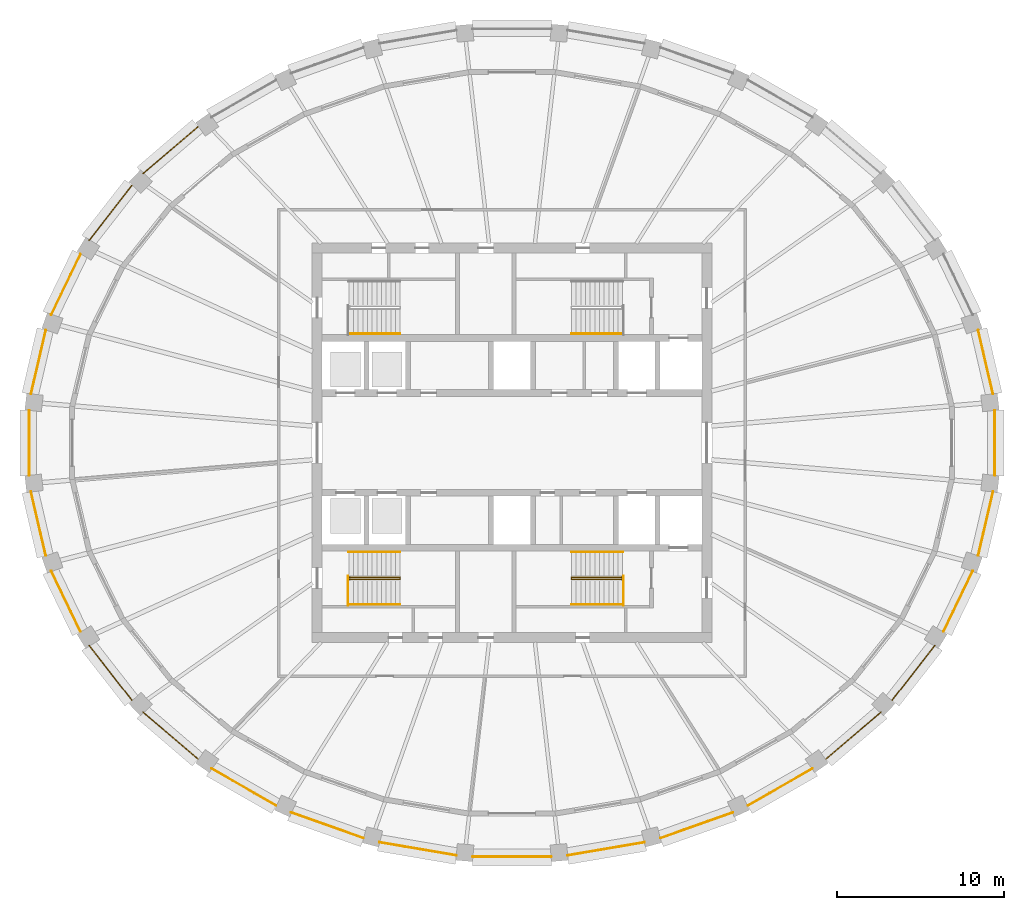
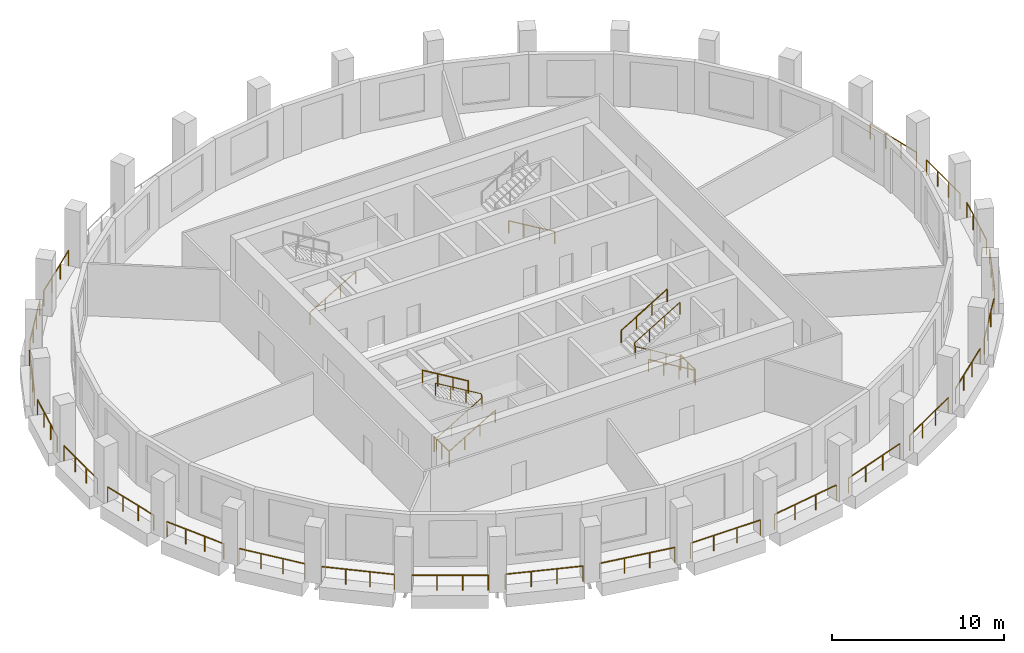
# One storey, part 8 of 10: 32 railings.
"""IFC4 building model written with IfcOpenShell, lengths in metres."""

from ifc_helpers import new_model, si_unit, direction, frame, origin, origin_2d, place, context, subcontext, project, spatial, circle, extrude, material, type_object, element, save


model = new_model("IFC4")

# Units and contexts
model_context = context("Model", 3, precision=1e-05, world=origin(), true_north=direction((0.0, 1.0)))
body_context = subcontext(model_context, "Body", "Model", "MODEL_VIEW")
ifc_project = project(units=[si_unit("LENGTHUNIT", "METRE"), si_unit("AREAUNIT", "SQUARE_METRE"), si_unit("VOLUMEUNIT", "CUBIC_METRE"), si_unit("PLANEANGLEUNIT", "RADIAN"), si_unit("MASSUNIT", "GRAM", prefix="KILO")], contexts=[model_context])

# Site, building, storey
site_placement = place(None, origin())
site = spatial("IfcSite", under=ifc_project, at=site_placement, CompositionType="ELEMENT")
building_placement = place(site_placement, origin())
building = spatial("IfcBuilding", under=site, at=building_placement, Name="Halqa Exchange Tower", CompositionType="ELEMENT")
storey_placement = place(building_placement, frame((0.0, 0.0, 300.300048828125)))
storey = spatial("IfcBuildingStorey", under=building, at=storey_placement, Name="L70", CompositionType="ELEMENT", Elevation=300.300048828125)

# Railings
ifc_material = material(Name="Stainless steel", Category="steel")
railing_type_1 = type_object("IfcRailingType", Name="Guard 1100 stainless steel", PredefinedType="GUARDRAIL", material=ifc_material)
railing_1_placement = place(storey_placement, frame((28.8837890625, 2.93505859375, 0.0)))
element("IfcRailing", 1, at=railing_1_placement, inside=storey, type_object=railing_type_1, Name="Loggia guard 1", PredefinedType="GUARDRAIL", context=body_context, shape_type="SweptSolid", body=[
    extrude(circle(Radius=0.02392578125, at=origin_2d()), frame((0.0, 0.0, 1.076171875), z_axis=(-0.226039167155, 0.974118214034, 0.0), x_axis=(-0.974118214034, -0.226039167155, 0.0)), (0.0, 0.0, 1.0), 3.929443359375),
    extrude(circle(Radius=0.02099609375, at=origin_2d()), origin(), (0.0, 0.0, 1.0), 1.052001953125),
    extrude(circle(Radius=0.02099609375, at=origin_2d()), frame((-0.296142578125, 1.27587890625, 0.0)), (0.0, 0.0, 1.0), 1.052001953125),
    extrude(circle(Radius=0.02099609375, at=origin_2d()), frame((-0.592041015625, 2.5517578125, 0.0)), (0.0, 0.0, 1.0), 1.052001953125),
    extrude(circle(Radius=0.02099609375, at=origin_2d()), frame((-0.88818359375, 3.82763671875, 0.0)), (0.0, 0.0, 1.0), 1.052001953125),
])
railing_2_placement = place(storey_placement, frame((-18.864013671875, 18.980224609375, 0.0)))
element("IfcRailing", 2, at=railing_2_placement, inside=storey, type_object=railing_type_1, Name="Loggia guard 12", PredefinedType="GUARDRAIL", context=body_context, shape_type="SweptSolid", body=[
    extrude(circle(Radius=0.02392578125, at=origin_2d()), frame((0.0, 0.0, 1.076171875), z_axis=(-0.759280539446, -0.650763445823, 0.0), x_axis=(0.650763445823, -0.759280539446, 0.0)), (0.0, 0.0, 1.0), 4.319580078125),
    extrude(circle(Radius=0.02099609375, at=origin_2d()), origin(), (0.0, 0.0, 1.0), 1.052001953125),
    extrude(circle(Radius=0.02099609375, at=origin_2d()), frame((-1.09326171875, -0.93701171875, 0.0)), (0.0, 0.0, 1.0), 1.052001953125),
    extrude(circle(Radius=0.02099609375, at=origin_2d()), frame((-2.1865234375, -1.8740234375, 0.0)), (0.0, 0.0, 1.0), 1.052001953125),
    extrude(circle(Radius=0.02099609375, at=origin_2d()), frame((-3.27978515625, -2.81103515625, 0.0)), (0.0, 0.0, 1.0), 1.052001953125),
])
railing_3_placement = place(storey_placement, frame((-22.830810546875, 15.449462890625, 0.0)))
element("IfcRailing", 3, at=railing_3_placement, inside=storey, type_object=railing_type_1, Name="Loggia guard 13", PredefinedType="GUARDRAIL", context=body_context, shape_type="SweptSolid", body=[
    extrude(circle(Radius=0.02392578125, at=origin_2d()), frame((0.0, 0.0, 1.076171875), z_axis=(-0.614801258851, -0.788682072901, 0.0), x_axis=(0.788682072901, -0.614801258851, 0.0)), (0.0, 0.0, 1.0), 4.16162109375),
    extrude(circle(Radius=0.02099609375, at=origin_2d()), origin(), (0.0, 0.0, 1.0), 1.052001953125),
    extrude(circle(Radius=0.02099609375, at=origin_2d()), frame((-0.852783203125, -1.093994140625, 0.0)), (0.0, 0.0, 1.0), 1.052001953125),
    extrude(circle(Radius=0.02099609375, at=origin_2d()), frame((-1.705810546875, -2.188232421875, 0.0)), (0.0, 0.0, 1.0), 1.052001953125),
    extrude(circle(Radius=0.02099609375, at=origin_2d()), frame((-2.55859375, -3.2822265625, 0.0)), (0.0, 0.0, 1.0), 1.052001953125),
])
railing_4_placement = place(storey_placement, frame((-25.914306640625, 11.32275390625, 0.0)))
element("IfcRailing", 4, at=railing_4_placement, inside=storey, type_object=railing_type_1, Name="Loggia guard 14", PredefinedType="GUARDRAIL", context=body_context, shape_type="SweptSolid", body=[
    extrude(circle(Radius=0.02392578125, at=origin_2d()), frame((0.0, 0.0, 1.076171875), z_axis=(-0.435061265171, -0.900400852703, 0.0), x_axis=(0.900400852703, -0.435061265171, 0.0)), (0.0, 0.0, 1.0), 4.0234375),
    extrude(circle(Radius=0.02099609375, at=origin_2d()), origin(), (0.0, 0.0, 1.0), 1.052001953125),
    extrude(circle(Radius=0.02099609375, at=origin_2d()), frame((-0.58349609375, -1.20751953125, 0.0)), (0.0, 0.0, 1.0), 1.052001953125),
    extrude(circle(Radius=0.02099609375, at=origin_2d()), frame((-1.1669921875, -2.415283203125, 0.0)), (0.0, 0.0, 1.0), 1.052001953125),
    extrude(circle(Radius=0.02099609375, at=origin_2d()), frame((-1.75048828125, -3.622802734375, 0.0)), (0.0, 0.0, 1.0), 1.052001953125),
])
railing_5_placement = place(storey_placement, frame((-27.99560546875, 6.7626953125, 0.0)))
element("IfcRailing", 5, at=railing_5_placement, inside=storey, type_object=railing_type_1, Name="Loggia guard 15", PredefinedType="GUARDRAIL", context=body_context, shape_type="SweptSolid", body=[
    extrude(circle(Radius=0.02392578125, at=origin_2d()), frame((0.0, 0.0, 1.076171875), z_axis=(-0.226039167155, -0.974118214034, 0.0), x_axis=(0.974118214034, -0.226039167155, 0.0)), (0.0, 0.0, 1.0), 3.929443359375),
    extrude(circle(Radius=0.02099609375, at=origin_2d()), origin(), (0.0, 0.0, 1.0), 1.052001953125),
    extrude(circle(Radius=0.02099609375, at=origin_2d()), frame((-0.296142578125, -1.27587890625, 0.0)), (0.0, 0.0, 1.0), 1.052001953125),
    extrude(circle(Radius=0.02099609375, at=origin_2d()), frame((-0.592041015625, -2.5517578125, 0.0)), (0.0, 0.0, 1.0), 1.052001953125),
    extrude(circle(Radius=0.02099609375, at=origin_2d()), frame((-0.88818359375, -3.82763671875, 0.0)), (0.0, 0.0, 1.0), 1.052001953125),
])
railing_6_placement = place(storey_placement, frame((-28.996826171875, 1.947998046875, 0.0)))
element("IfcRailing", 6, at=railing_6_placement, inside=storey, type_object=railing_type_1, Name="Loggia guard 16", PredefinedType="GUARDRAIL", context=body_context, shape_type="SweptSolid", body=[
    extrude(circle(Radius=0.02392578125, at=origin_2d()), frame((0.0, 0.0, 1.076171875), z_axis=(0.0, -1.0, 0.0), x_axis=(1.0, 0.0, 0.0)), (0.0, 0.0, 1.0), 3.89599609375),
    extrude(circle(Radius=0.02099609375, at=origin_2d()), origin(), (0.0, 0.0, 1.0), 1.052001953125),
    extrude(circle(Radius=0.02099609375, at=origin_2d()), frame((0.0, -1.298583984375, 0.0)), (0.0, 0.0, 1.0), 1.052001953125),
    extrude(circle(Radius=0.02099609375, at=origin_2d()), frame((0.0, -2.597412109375, 0.0)), (0.0, 0.0, 1.0), 1.052001953125),
    extrude(circle(Radius=0.02099609375, at=origin_2d()), frame((0.0, -3.89599609375, 0.0)), (0.0, 0.0, 1.0), 1.052001953125),
])
railing_7_placement = place(storey_placement, frame((-28.8837890625, -2.93505859375, 0.0)))
element("IfcRailing", 7, at=railing_7_placement, inside=storey, type_object=railing_type_1, Name="Loggia guard 17", PredefinedType="GUARDRAIL", context=body_context, shape_type="SweptSolid", body=[
    extrude(circle(Radius=0.02392578125, at=origin_2d()), frame((0.0, 0.0, 1.076171875), z_axis=(0.226039167155, -0.974118214034, 0.0), x_axis=(0.974118214034, 0.226039167155, 0.0)), (0.0, 0.0, 1.0), 3.929443359375),
    extrude(circle(Radius=0.02099609375, at=origin_2d()), origin(), (0.0, 0.0, 1.0), 1.052001953125),
    extrude(circle(Radius=0.02099609375, at=origin_2d()), frame((0.296142578125, -1.27587890625, 0.0)), (0.0, 0.0, 1.0), 1.052001953125),
    extrude(circle(Radius=0.02099609375, at=origin_2d()), frame((0.592041015625, -2.5517578125, 0.0)), (0.0, 0.0, 1.0), 1.052001953125),
    extrude(circle(Radius=0.02099609375, at=origin_2d()), frame((0.88818359375, -3.82763671875, 0.0)), (0.0, 0.0, 1.0), 1.052001953125),
])
railing_8_placement = place(storey_placement, frame((-27.664794921875, -7.699951171875, 0.0)))
element("IfcRailing", 8, at=railing_8_placement, inside=storey, type_object=railing_type_1, Name="Loggia guard 18", PredefinedType="GUARDRAIL", context=body_context, shape_type="SweptSolid", body=[
    extrude(circle(Radius=0.02392578125, at=origin_2d()), frame((0.0, 0.0, 1.076171875), z_axis=(0.435061265171, -0.900400852703, 0.0), x_axis=(0.900400852703, 0.435061265171, 0.0)), (0.0, 0.0, 1.0), 4.0234375),
    extrude(circle(Radius=0.02099609375, at=origin_2d()), origin(), (0.0, 0.0, 1.0), 1.052001953125),
    extrude(circle(Radius=0.02099609375, at=origin_2d()), frame((0.58349609375, -1.20751953125, 0.0)), (0.0, 0.0, 1.0), 1.052001953125),
    extrude(circle(Radius=0.02099609375, at=origin_2d()), frame((1.1669921875, -2.415283203125, 0.0)), (0.0, 0.0, 1.0), 1.052001953125),
    extrude(circle(Radius=0.02099609375, at=origin_2d()), frame((1.75048828125, -3.622802734375, 0.0)), (0.0, 0.0, 1.0), 1.052001953125),
])
railing_9_placement = place(storey_placement, frame((-25.389404296875, -12.167236328125, 0.0)))
element("IfcRailing", 9, at=railing_9_placement, inside=storey, type_object=railing_type_1, Name="Loggia guard 19", PredefinedType="GUARDRAIL", context=body_context, shape_type="SweptSolid", body=[
    extrude(circle(Radius=0.02392578125, at=origin_2d()), frame((0.0, 0.0, 1.076171875), z_axis=(0.614801258851, -0.788682072901, 0.0), x_axis=(0.788682072901, 0.614801258851, 0.0)), (0.0, 0.0, 1.0), 4.16162109375),
    extrude(circle(Radius=0.02099609375, at=origin_2d()), origin(), (0.0, 0.0, 1.0), 1.052001953125),
    extrude(circle(Radius=0.02099609375, at=origin_2d()), frame((0.852783203125, -1.093994140625, 0.0)), (0.0, 0.0, 1.0), 1.052001953125),
    extrude(circle(Radius=0.02099609375, at=origin_2d()), frame((1.705810546875, -2.188232421875, 0.0)), (0.0, 0.0, 1.0), 1.052001953125),
    extrude(circle(Radius=0.02099609375, at=origin_2d()), frame((2.55859375, -3.2822265625, 0.0)), (0.0, 0.0, 1.0), 1.052001953125),
])
railing_10_placement = place(storey_placement, frame((-22.143798828125, -16.169189453125, 0.0)))
element("IfcRailing", 10, at=railing_10_placement, inside=storey, type_object=railing_type_1, Name="Loggia guard 20", PredefinedType="GUARDRAIL", context=body_context, shape_type="SweptSolid", body=[
    extrude(circle(Radius=0.02392578125, at=origin_2d()), frame((0.0, 0.0, 1.076171875), z_axis=(0.759280539446, -0.650763445823, 0.0), x_axis=(0.650763445823, 0.759280539446, 0.0)), (0.0, 0.0, 1.0), 4.319580078125),
    extrude(circle(Radius=0.02099609375, at=origin_2d()), origin(), (0.0, 0.0, 1.0), 1.052001953125),
    extrude(circle(Radius=0.02099609375, at=origin_2d()), frame((1.09326171875, -0.93701171875, 0.0)), (0.0, 0.0, 1.0), 1.052001953125),
    extrude(circle(Radius=0.02099609375, at=origin_2d()), frame((2.1865234375, -1.8740234375, 0.0)), (0.0, 0.0, 1.0), 1.052001953125),
    extrude(circle(Radius=0.02099609375, at=origin_2d()), frame((3.27978515625, -2.81103515625, 0.0)), (0.0, 0.0, 1.0), 1.052001953125),
])
railing_11_placement = place(storey_placement, frame((-18.050537109375, -19.55419921875, 0.0)))
element("IfcRailing", 11, at=railing_11_placement, inside=storey, type_object=railing_type_1, Name="Loggia guard 21", PredefinedType="GUARDRAIL", context=body_context, shape_type="SweptSolid", body=[
    extrude(circle(Radius=0.02392578125, at=origin_2d()), frame((0.0, 0.0, 1.076171875), z_axis=(0.867752346247, -0.496996846652, 0.0), x_axis=(0.496996846652, 0.867752346247, 0.0)), (0.0, 0.0, 1.0), 4.47314453125),
    extrude(circle(Radius=0.02099609375, at=origin_2d()), origin(), (0.0, 0.0, 1.0), 1.052001953125),
    extrude(circle(Radius=0.02099609375, at=origin_2d()), frame((1.2939453125, -0.740966796875, 0.0)), (0.0, 0.0, 1.0), 1.052001953125),
    extrude(circle(Radius=0.02099609375, at=origin_2d()), frame((2.587646484375, -1.482177734375, 0.0)), (0.0, 0.0, 1.0), 1.052001953125),
    extrude(circle(Radius=0.02099609375, at=origin_2d()), frame((3.881591796875, -2.22314453125, 0.0)), (0.0, 0.0, 1.0), 1.052001953125),
])
railing_12_placement = place(storey_placement, frame((-13.263916015625, -22.193115234375, 0.0)))
element("IfcRailing", 12, at=railing_12_placement, inside=storey, type_object=railing_type_1, Name="Loggia guard 22", PredefinedType="GUARDRAIL", context=body_context, shape_type="SweptSolid", body=[
    extrude(circle(Radius=0.02392578125, at=origin_2d()), frame((0.0, 0.0, 1.076171875), z_axis=(0.942380251291, -0.334543662286, 0.0), x_axis=(0.334543662286, 0.942380251291, 0.0)), (0.0, 0.0, 1.0), 4.599853515625),
    extrude(circle(Radius=0.02099609375, at=origin_2d()), origin(), (0.0, 0.0, 1.0), 1.052001953125),
    extrude(circle(Radius=0.02099609375, at=origin_2d()), frame((1.44482421875, -0.512939453125, 0.0)), (0.0, 0.0, 1.0), 1.052001953125),
    extrude(circle(Radius=0.02099609375, at=origin_2d()), frame((2.889892578125, -1.02587890625, 0.0)), (0.0, 0.0, 1.0), 1.052001953125),
    extrude(circle(Radius=0.02099609375, at=origin_2d()), frame((4.334716796875, -1.538818359375, 0.0)), (0.0, 0.0, 1.0), 1.052001953125),
])
railing_13_placement = place(storey_placement, frame((-7.965087890625, -23.9833984375, 0.0)))
element("IfcRailing", 13, at=railing_13_placement, inside=storey, type_object=railing_type_1, Name="Loggia guard 23", PredefinedType="GUARDRAIL", context=body_context, shape_type="SweptSolid", body=[
    extrude(circle(Radius=0.02392578125, at=origin_2d()), frame((0.0, 0.0, 1.076171875), z_axis=(0.985772686302, -0.168083940165, 0.0), x_axis=(0.168083940165, 0.985772686302, 0.0)), (0.0, 0.0, 1.0), 4.682861328125),
    extrude(circle(Radius=0.02099609375, at=origin_2d()), origin(), (0.0, 0.0, 1.0), 1.052001953125),
    extrude(circle(Radius=0.02099609375, at=origin_2d()), frame((1.538818359375, -0.262451171875, 0.0)), (0.0, 0.0, 1.0), 1.052001953125),
    extrude(circle(Radius=0.02099609375, at=origin_2d()), frame((3.077392578125, -0.524658203125, 0.0)), (0.0, 0.0, 1.0), 1.052001953125),
    extrude(circle(Radius=0.02099609375, at=origin_2d()), frame((4.6162109375, -0.787109375, 0.0)), (0.0, 0.0, 1.0), 1.052001953125),
])
railing_14_placement = place(storey_placement, frame((-2.35595703125, -24.8544921875, 0.0)))
element("IfcRailing", 14, at=railing_14_placement, inside=storey, type_object=railing_type_1, Name="Loggia guard 24", PredefinedType="GUARDRAIL", context=body_context, shape_type="SweptSolid", body=[
    extrude(circle(Radius=0.02392578125, at=origin_2d()), frame((0.0, 0.0, 1.076171875), z_axis=(1.0, 0.0, 0.0), x_axis=(0.0, 1.0, 0.0)), (0.0, 0.0, 1.0), 4.7119140625),
    extrude(circle(Radius=0.02099609375, at=origin_2d()), origin(), (0.0, 0.0, 1.0), 1.052001953125),
    extrude(circle(Radius=0.02099609375, at=origin_2d()), frame((1.570556640625, 0.0, 0.0)), (0.0, 0.0, 1.0), 1.052001953125),
    extrude(circle(Radius=0.02099609375, at=origin_2d()), frame((3.141357421875, 0.0, 0.0)), (0.0, 0.0, 1.0), 1.052001953125),
    extrude(circle(Radius=0.02099609375, at=origin_2d()), frame((4.7119140625, 0.0, 0.0)), (0.0, 0.0, 1.0), 1.052001953125),
])
railing_15_placement = place(storey_placement, frame((3.348876953125, -24.7705078125, 0.0)))
element("IfcRailing", 15, at=railing_15_placement, inside=storey, type_object=railing_type_1, Name="Loggia guard 25", PredefinedType="GUARDRAIL", context=body_context, shape_type="SweptSolid", body=[
    extrude(circle(Radius=0.02392578125, at=origin_2d()), frame((0.0, 0.0, 1.076171875), z_axis=(0.985772686302, 0.168083940165, 0.0), x_axis=(-0.168083940165, 0.985772686302, 0.0)), (0.0, 0.0, 1.0), 4.682861328125),
    extrude(circle(Radius=0.02099609375, at=origin_2d()), origin(), (0.0, 0.0, 1.0), 1.052001953125),
    extrude(circle(Radius=0.02099609375, at=origin_2d()), frame((1.538818359375, 0.262451171875, 0.0)), (0.0, 0.0, 1.0), 1.052001953125),
    extrude(circle(Radius=0.02099609375, at=origin_2d()), frame((3.077392578125, 0.524658203125, 0.0)), (0.0, 0.0, 1.0), 1.052001953125),
    extrude(circle(Radius=0.02099609375, at=origin_2d()), frame((4.6162109375, 0.787109375, 0.0)), (0.0, 0.0, 1.0), 1.052001953125),
])
railing_16_placement = place(storey_placement, frame((8.92919921875, -23.73193359375, 0.0)))
element("IfcRailing", 16, at=railing_16_placement, inside=storey, type_object=railing_type_1, Name="Loggia guard 26", PredefinedType="GUARDRAIL", context=body_context, shape_type="SweptSolid", body=[
    extrude(circle(Radius=0.02392578125, at=origin_2d()), frame((0.0, 0.0, 1.076171875), z_axis=(0.942380251291, 0.334543662286, 0.0), x_axis=(-0.334543662286, 0.942380251291, 0.0)), (0.0, 0.0, 1.0), 4.599853515625),
    extrude(circle(Radius=0.02099609375, at=origin_2d()), origin(), (0.0, 0.0, 1.0), 1.052001953125),
    extrude(circle(Radius=0.02099609375, at=origin_2d()), frame((1.44482421875, 0.512939453125, 0.0)), (0.0, 0.0, 1.0), 1.052001953125),
    extrude(circle(Radius=0.02099609375, at=origin_2d()), frame((2.889892578125, 1.02587890625, 0.0)), (0.0, 0.0, 1.0), 1.052001953125),
    extrude(circle(Radius=0.02099609375, at=origin_2d()), frame((4.334716796875, 1.538818359375, 0.0)), (0.0, 0.0, 1.0), 1.052001953125),
])
railing_17_placement = place(storey_placement, frame((14.1689453125, -21.77734375, 0.0)))
element("IfcRailing", 17, at=railing_17_placement, inside=storey, type_object=railing_type_1, Name="Loggia guard 27", PredefinedType="GUARDRAIL", context=body_context, shape_type="SweptSolid", body=[
    extrude(circle(Radius=0.02392578125, at=origin_2d()), frame((0.0, 0.0, 1.076171875), z_axis=(0.867752346247, 0.496996846652, 0.0), x_axis=(-0.496996846652, 0.867752346247, 0.0)), (0.0, 0.0, 1.0), 4.47314453125),
    extrude(circle(Radius=0.02099609375, at=origin_2d()), origin(), (0.0, 0.0, 1.0), 1.052001953125),
    extrude(circle(Radius=0.02099609375, at=origin_2d()), frame((1.2939453125, 0.740966796875, 0.0)), (0.0, 0.0, 1.0), 1.052001953125),
    extrude(circle(Radius=0.02099609375, at=origin_2d()), frame((2.587646484375, 1.482177734375, 0.0)), (0.0, 0.0, 1.0), 1.052001953125),
    extrude(circle(Radius=0.02099609375, at=origin_2d()), frame((3.881591796875, 2.22314453125, 0.0)), (0.0, 0.0, 1.0), 1.052001953125),
])
railing_18_placement = place(storey_placement, frame((18.864013671875, -18.980224609375, 0.0)))
element("IfcRailing", 18, at=railing_18_placement, inside=storey, type_object=railing_type_1, Name="Loggia guard 28", PredefinedType="GUARDRAIL", context=body_context, shape_type="SweptSolid", body=[
    extrude(circle(Radius=0.02392578125, at=origin_2d()), frame((0.0, 0.0, 1.076171875), z_axis=(0.759280539446, 0.650763445823, 0.0), x_axis=(-0.650763445823, 0.759280539446, 0.0)), (0.0, 0.0, 1.0), 4.319580078125),
    extrude(circle(Radius=0.02099609375, at=origin_2d()), origin(), (0.0, 0.0, 1.0), 1.052001953125),
    extrude(circle(Radius=0.02099609375, at=origin_2d()), frame((1.09326171875, 0.93701171875, 0.0)), (0.0, 0.0, 1.0), 1.052001953125),
    extrude(circle(Radius=0.02099609375, at=origin_2d()), frame((2.1865234375, 1.8740234375, 0.0)), (0.0, 0.0, 1.0), 1.052001953125),
    extrude(circle(Radius=0.02099609375, at=origin_2d()), frame((3.27978515625, 2.81103515625, 0.0)), (0.0, 0.0, 1.0), 1.052001953125),
])
railing_19_placement = place(storey_placement, frame((22.830810546875, -15.449462890625, 0.0)))
element("IfcRailing", 19, at=railing_19_placement, inside=storey, type_object=railing_type_1, Name="Loggia guard 29", PredefinedType="GUARDRAIL", context=body_context, shape_type="SweptSolid", body=[
    extrude(circle(Radius=0.02392578125, at=origin_2d()), frame((0.0, 0.0, 1.076171875), z_axis=(0.614801258851, 0.788682072901, 0.0), x_axis=(-0.788682072901, 0.614801258851, 0.0)), (0.0, 0.0, 1.0), 4.16162109375),
    extrude(circle(Radius=0.02099609375, at=origin_2d()), origin(), (0.0, 0.0, 1.0), 1.052001953125),
    extrude(circle(Radius=0.02099609375, at=origin_2d()), frame((0.852783203125, 1.093994140625, 0.0)), (0.0, 0.0, 1.0), 1.052001953125),
    extrude(circle(Radius=0.02099609375, at=origin_2d()), frame((1.705810546875, 2.188232421875, 0.0)), (0.0, 0.0, 1.0), 1.052001953125),
    extrude(circle(Radius=0.02099609375, at=origin_2d()), frame((2.55859375, 3.2822265625, 0.0)), (0.0, 0.0, 1.0), 1.052001953125),
])
railing_20_placement = place(storey_placement, frame((25.914306640625, -11.32275390625, 0.0)))
element("IfcRailing", 20, at=railing_20_placement, inside=storey, type_object=railing_type_1, Name="Loggia guard 30", PredefinedType="GUARDRAIL", context=body_context, shape_type="SweptSolid", body=[
    extrude(circle(Radius=0.02392578125, at=origin_2d()), frame((0.0, 0.0, 1.076171875), z_axis=(0.435061265171, 0.900400852703, 0.0), x_axis=(-0.900400852703, 0.435061265171, 0.0)), (0.0, 0.0, 1.0), 4.0234375),
    extrude(circle(Radius=0.02099609375, at=origin_2d()), origin(), (0.0, 0.0, 1.0), 1.052001953125),
    extrude(circle(Radius=0.02099609375, at=origin_2d()), frame((0.58349609375, 1.20751953125, 0.0)), (0.0, 0.0, 1.0), 1.052001953125),
    extrude(circle(Radius=0.02099609375, at=origin_2d()), frame((1.1669921875, 2.415283203125, 0.0)), (0.0, 0.0, 1.0), 1.052001953125),
    extrude(circle(Radius=0.02099609375, at=origin_2d()), frame((1.75048828125, 3.622802734375, 0.0)), (0.0, 0.0, 1.0), 1.052001953125),
])
railing_21_placement = place(storey_placement, frame((27.99560546875, -6.7626953125, 0.0)))
element("IfcRailing", 21, at=railing_21_placement, inside=storey, type_object=railing_type_1, Name="Loggia guard 31", PredefinedType="GUARDRAIL", context=body_context, shape_type="SweptSolid", body=[
    extrude(circle(Radius=0.02392578125, at=origin_2d()), frame((0.0, 0.0, 1.076171875), z_axis=(0.226039167155, 0.974118214034, 0.0), x_axis=(-0.974118214034, 0.226039167155, 0.0)), (0.0, 0.0, 1.0), 3.929443359375),
    extrude(circle(Radius=0.02099609375, at=origin_2d()), origin(), (0.0, 0.0, 1.0), 1.052001953125),
    extrude(circle(Radius=0.02099609375, at=origin_2d()), frame((0.296142578125, 1.27587890625, 0.0)), (0.0, 0.0, 1.0), 1.052001953125),
    extrude(circle(Radius=0.02099609375, at=origin_2d()), frame((0.592041015625, 2.5517578125, 0.0)), (0.0, 0.0, 1.0), 1.052001953125),
    extrude(circle(Radius=0.02099609375, at=origin_2d()), frame((0.88818359375, 3.82763671875, 0.0)), (0.0, 0.0, 1.0), 1.052001953125),
])
railing_22_placement = place(storey_placement, frame((28.996826171875, -1.947998046875, 0.0)))
element("IfcRailing", 22, at=railing_22_placement, inside=storey, type_object=railing_type_1, Name="Loggia guard 32", PredefinedType="GUARDRAIL", context=body_context, shape_type="SweptSolid", body=[
    extrude(circle(Radius=0.02392578125, at=origin_2d()), frame((0.0, 0.0, 1.076171875), z_axis=(0.0, 1.0, 0.0), x_axis=(-1.0, 0.0, 0.0)), (0.0, 0.0, 1.0), 3.89599609375),
    extrude(circle(Radius=0.02099609375, at=origin_2d()), origin(), (0.0, 0.0, 1.0), 1.052001953125),
    extrude(circle(Radius=0.02099609375, at=origin_2d()), frame((0.0, 1.298583984375, 0.0)), (0.0, 0.0, 1.0), 1.052001953125),
    extrude(circle(Radius=0.02099609375, at=origin_2d()), frame((0.0, 2.597412109375, 0.0)), (0.0, 0.0, 1.0), 1.052001953125),
    extrude(circle(Radius=0.02099609375, at=origin_2d()), frame((0.0, 3.89599609375, 0.0)), (0.0, 0.0, 1.0), 1.052001953125),
])
railing_type_2 = type_object("IfcRailingType", Name="Stair handrail 900", PredefinedType="HANDRAIL", material=ifc_material)
railing_23_placement = place(storey_placement, frame((-9.800048828125, 6.550048828125, 0.166748046875)))
element("IfcRailing", 23, at=railing_23_placement, inside=storey, type_object=railing_type_2, Name="Handrail ST1.2", PredefinedType="HANDRAIL", context=body_context, shape_type="SweptSolid", body=[
    extrude(circle(Radius=0.02392578125, at=origin_2d()), frame((0.0, 0.0, 0.8759765625), z_axis=(0.859308565015, 0.0, 0.511457515432), x_axis=(0.0, 1.0, 0.0)), (0.0, 0.0, 1.0), 3.58447265625),
    extrude(circle(Radius=0.02099609375, at=origin_2d()), origin(), (0.0, 0.0, 1.0), 0.851806640625),
    extrude(circle(Radius=0.02099609375, at=origin_2d()), frame((1.026611328125, 0.0, 0.611083984375)), (0.0, 0.0, 1.0), 0.851806640625),
    extrude(circle(Radius=0.02099609375, at=origin_2d()), frame((2.053466796875, 0.0, 1.22216796875)), (0.0, 0.0, 1.0), 0.851806640625),
    extrude(circle(Radius=0.02099609375, at=origin_2d()), frame((3.080078125, 0.0, 1.833251953125)), (0.0, 0.0, 1.0), 0.851806640625),
])
railing_24_placement = place(storey_placement, frame((6.64990234375, 6.550048828125, 0.166748046875)))
element("IfcRailing", 24, at=railing_24_placement, inside=storey, type_object=railing_type_2, Name="Handrail ST2.2", PredefinedType="HANDRAIL", context=body_context, shape_type="SweptSolid", body=[
    extrude(circle(Radius=0.02392578125, at=origin_2d()), frame((0.0, 0.0, 0.8759765625), z_axis=(-0.859290745958, 0.0, 0.51148745235), x_axis=(0.0, -1.0, 0.0)), (0.0, 0.0, 1.0), 3.584228515625),
    extrude(circle(Radius=0.02099609375, at=origin_2d()), origin(), (0.0, 0.0, 1.0), 0.851806640625),
    extrude(circle(Radius=0.02099609375, at=origin_2d()), frame((-1.026611328125, 0.0, 0.611083984375)), (0.0, 0.0, 1.0), 0.851806640625),
    extrude(circle(Radius=0.02099609375, at=origin_2d()), frame((-2.05322265625, 0.0, 1.22216796875)), (0.0, 0.0, 1.0), 0.851806640625),
    extrude(circle(Radius=0.02099609375, at=origin_2d()), frame((-3.079833984375, 0.0, 1.833251953125)), (0.0, 0.0, 1.0), 0.851806640625),
])
railing_25_placement = place(storey_placement, frame((-9.800048828125, -8.18994140625, 0.166748046875)))
element("IfcRailing", 25, at=railing_25_placement, inside=storey, type_object=railing_type_2, Name="Handrail ST3.1", PredefinedType="HANDRAIL", context=body_context, shape_type="SweptSolid", body=[
    extrude(circle(Radius=0.02392578125, at=origin_2d()), frame((0.0, 0.0, 0.8759765625), z_axis=(0.859308565015, 0.0, 0.511457515432), x_axis=(0.0, 1.0, 0.0)), (0.0, 0.0, 1.0), 3.58447265625),
    extrude(circle(Radius=0.02392578125, at=origin_2d()), frame((3.080078125, 0.0, 2.708984375), z_axis=(0.0, 0.614500226555, 0.788916644243), x_axis=(-1.0, 0.0, 0.0)), (0.0, 0.0, 1.0), 0.21142578125),
    extrude(circle(Radius=0.02392578125, at=origin_2d()), frame((3.080078125, 0.1298828125, 2.8759765625), z_axis=(-0.859308565015, 0.0, 0.511457515432), x_axis=(0.0, -1.0, 0.0)), (0.0, 0.0, 1.0), 3.58447265625),
    extrude(circle(Radius=0.02099609375, at=origin_2d()), origin(), (0.0, 0.0, 1.0), 0.851806640625),
    extrude(circle(Radius=0.02099609375, at=origin_2d()), frame((1.026611328125, 0.0, 0.611083984375)), (0.0, 0.0, 1.0), 0.851806640625),
    extrude(circle(Radius=0.02099609375, at=origin_2d()), frame((2.053466796875, 0.0, 1.22216796875)), (0.0, 0.0, 1.0), 0.851806640625),
    extrude(circle(Radius=0.02099609375, at=origin_2d()), frame((3.080078125, 0.0, 1.833251953125)), (0.0, 0.0, 1.0), 0.851806640625),
    extrude(circle(Radius=0.02099609375, at=origin_2d()), frame((3.080078125, 0.1298828125, 2.0)), (0.0, 0.0, 1.0), 0.851806640625),
    extrude(circle(Radius=0.02099609375, at=origin_2d()), frame((2.053466796875, 0.1298828125, 2.611083984375)), (0.0, 0.0, 1.0), 0.851806640625),
    extrude(circle(Radius=0.02099609375, at=origin_2d()), frame((1.026611328125, 0.1298828125, 3.22216796875)), (0.0, 0.0, 1.0), 0.851806640625),
    extrude(circle(Radius=0.02099609375, at=origin_2d()), frame((0.0, 0.1298828125, 3.833251953125)), (0.0, 0.0, 1.0), 0.851806640625),
])
railing_26_placement = place(storey_placement, frame((-9.800048828125, -9.699951171875, 0.166748046875)))
element("IfcRailing", 26, at=railing_26_placement, inside=storey, type_object=railing_type_2, Name="Handrail ST3.2", PredefinedType="HANDRAIL", context=body_context, shape_type="SweptSolid", body=[
    extrude(circle(Radius=0.02392578125, at=origin_2d()), frame((0.0, 0.0, 0.8759765625), z_axis=(0.859308565015, 0.0, 0.511457515432), x_axis=(0.0, 1.0, 0.0)), (0.0, 0.0, 1.0), 3.58447265625),
    extrude(circle(Radius=0.02099609375, at=origin_2d()), origin(), (0.0, 0.0, 1.0), 0.851806640625),
    extrude(circle(Radius=0.02099609375, at=origin_2d()), frame((1.026611328125, 0.0, 0.611083984375)), (0.0, 0.0, 1.0), 0.851806640625),
    extrude(circle(Radius=0.02099609375, at=origin_2d()), frame((2.053466796875, 0.0, 1.22216796875)), (0.0, 0.0, 1.0), 0.851806640625),
    extrude(circle(Radius=0.02099609375, at=origin_2d()), frame((3.080078125, 0.0, 1.833251953125)), (0.0, 0.0, 1.0), 0.851806640625),
])
railing_27_placement = place(storey_placement, frame((-6.719970703125, -6.550048828125, 2.166748046875)))
element("IfcRailing", 27, at=railing_27_placement, inside=storey, type_object=railing_type_2, Name="Handrail ST3.3", PredefinedType="HANDRAIL", context=body_context, shape_type="SweptSolid", body=[
    extrude(circle(Radius=0.02392578125, at=origin_2d()), frame((0.0, 0.0, 0.8759765625), z_axis=(-0.859308565015, 0.0, 0.511457515432), x_axis=(0.0, -1.0, 0.0)), (0.0, 0.0, 1.0), 3.58447265625),
    extrude(circle(Radius=0.02099609375, at=origin_2d()), origin(), (0.0, 0.0, 1.0), 0.851806640625),
    extrude(circle(Radius=0.02099609375, at=origin_2d()), frame((-1.026611328125, 0.0, 0.611083984375)), (0.0, 0.0, 1.0), 0.851806640625),
    extrude(circle(Radius=0.02099609375, at=origin_2d()), frame((-2.053466796875, 0.0, 1.22216796875)), (0.0, 0.0, 1.0), 0.851806640625),
    extrude(circle(Radius=0.02099609375, at=origin_2d()), frame((-3.080078125, 0.0, 1.833251953125)), (0.0, 0.0, 1.0), 0.851806640625),
])
railing_28_placement = place(storey_placement, frame((6.64990234375, -8.18994140625, 0.166748046875)))
element("IfcRailing", 28, at=railing_28_placement, inside=storey, type_object=railing_type_2, Name="Handrail ST4.1", PredefinedType="HANDRAIL", context=body_context, shape_type="SweptSolid", body=[
    extrude(circle(Radius=0.02392578125, at=origin_2d()), frame((0.0, 0.0, 0.8759765625), z_axis=(-0.859290745958, 0.0, 0.51148745235), x_axis=(0.0, -1.0, 0.0)), (0.0, 0.0, 1.0), 3.584228515625),
    extrude(circle(Radius=0.02392578125, at=origin_2d()), frame((-3.079833984375, 0.0, 2.708984375), z_axis=(0.0, 0.614500226555, 0.788916644243), x_axis=(-1.0, 0.0, 0.0)), (0.0, 0.0, 1.0), 0.21142578125),
    extrude(circle(Radius=0.02392578125, at=origin_2d()), frame((-3.079833984375, 0.1298828125, 2.8759765625), z_axis=(0.859290745958, 0.0, 0.51148745235), x_axis=(0.0, 1.0, 0.0)), (0.0, 0.0, 1.0), 3.584228515625),
    extrude(circle(Radius=0.02099609375, at=origin_2d()), origin(), (0.0, 0.0, 1.0), 0.851806640625),
    extrude(circle(Radius=0.02099609375, at=origin_2d()), frame((-1.026611328125, 0.0, 0.611083984375)), (0.0, 0.0, 1.0), 0.851806640625),
    extrude(circle(Radius=0.02099609375, at=origin_2d()), frame((-2.05322265625, 0.0, 1.22216796875)), (0.0, 0.0, 1.0), 0.851806640625),
    extrude(circle(Radius=0.02099609375, at=origin_2d()), frame((-3.079833984375, 0.0, 1.833251953125)), (0.0, 0.0, 1.0), 0.851806640625),
    extrude(circle(Radius=0.02099609375, at=origin_2d()), frame((-3.079833984375, 0.1298828125, 2.0)), (0.0, 0.0, 1.0), 0.851806640625),
    extrude(circle(Radius=0.02099609375, at=origin_2d()), frame((-2.05322265625, 0.1298828125, 2.611083984375)), (0.0, 0.0, 1.0), 0.851806640625),
    extrude(circle(Radius=0.02099609375, at=origin_2d()), frame((-1.026611328125, 0.1298828125, 3.22216796875)), (0.0, 0.0, 1.0), 0.851806640625),
    extrude(circle(Radius=0.02099609375, at=origin_2d()), frame((0.0, 0.1298828125, 3.833251953125)), (0.0, 0.0, 1.0), 0.851806640625),
])
railing_29_placement = place(storey_placement, frame((6.64990234375, -9.699951171875, 0.166748046875)))
element("IfcRailing", 29, at=railing_29_placement, inside=storey, type_object=railing_type_2, Name="Handrail ST4.2", PredefinedType="HANDRAIL", context=body_context, shape_type="SweptSolid", body=[
    extrude(circle(Radius=0.02392578125, at=origin_2d()), frame((0.0, 0.0, 0.8759765625), z_axis=(-0.859290745958, 0.0, 0.51148745235), x_axis=(0.0, -1.0, 0.0)), (0.0, 0.0, 1.0), 3.584228515625),
    extrude(circle(Radius=0.02099609375, at=origin_2d()), origin(), (0.0, 0.0, 1.0), 0.851806640625),
    extrude(circle(Radius=0.02099609375, at=origin_2d()), frame((-1.026611328125, 0.0, 0.611083984375)), (0.0, 0.0, 1.0), 0.851806640625),
    extrude(circle(Radius=0.02099609375, at=origin_2d()), frame((-2.05322265625, 0.0, 1.22216796875)), (0.0, 0.0, 1.0), 0.851806640625),
    extrude(circle(Radius=0.02099609375, at=origin_2d()), frame((-3.079833984375, 0.0, 1.833251953125)), (0.0, 0.0, 1.0), 0.851806640625),
])
railing_30_placement = place(storey_placement, frame((3.570068359375, -6.550048828125, 2.166748046875)))
element("IfcRailing", 30, at=railing_30_placement, inside=storey, type_object=railing_type_2, Name="Handrail ST4.3", PredefinedType="HANDRAIL", context=body_context, shape_type="SweptSolid", body=[
    extrude(circle(Radius=0.02392578125, at=origin_2d()), frame((0.0, 0.0, 0.8759765625), z_axis=(0.859290745958, 0.0, 0.51148745235), x_axis=(0.0, 1.0, 0.0)), (0.0, 0.0, 1.0), 3.584228515625),
    extrude(circle(Radius=0.02099609375, at=origin_2d()), origin(), (0.0, 0.0, 1.0), 0.851806640625),
    extrude(circle(Radius=0.02099609375, at=origin_2d()), frame((1.026611328125, 0.0, 0.611083984375)), (0.0, 0.0, 1.0), 0.851806640625),
    extrude(circle(Radius=0.02099609375, at=origin_2d()), frame((2.05322265625, 0.0, 1.22216796875)), (0.0, 0.0, 1.0), 0.851806640625),
    extrude(circle(Radius=0.02099609375, at=origin_2d()), frame((3.079833984375, 0.0, 1.833251953125)), (0.0, 0.0, 1.0), 0.851806640625),
])
railing_type_3 = type_object("IfcRailingType", Name="Stair well guard 1100", PredefinedType="GUARDRAIL", material=ifc_material)
for number, where, name in (
    (31, (-9.85009765625, -9.75, 0.0), "Guard ST3 well"),
    (32, (6.699951171875, -9.75, 0.0), "Guard ST4 well"),
):
    element("IfcRailing", number, at=place(storey_placement, frame(where)), inside=storey, type_object=railing_type_3, Name=name, PredefinedType="GUARDRAIL", context=body_context, shape_type="SweptSolid", body=[
        extrude(circle(Radius=0.02392578125, at=origin_2d()), frame((0.0, 0.0, 1.076171875), z_axis=(0.0, 1.0, 0.0), x_axis=(-1.0, 0.0, 0.0)), (0.0, 0.0, 1.0), 1.75),
        extrude(circle(Radius=0.02099609375, at=origin_2d()), origin(), (0.0, 0.0, 1.0), 1.052001953125),
        extrude(circle(Radius=0.02099609375, at=origin_2d()), frame((0.0, 0.875, 0.0)), (0.0, 0.0, 1.0), 1.052001953125),
        extrude(circle(Radius=0.02099609375, at=origin_2d()), frame((0.0, 1.75, 0.0)), (0.0, 0.0, 1.0), 1.052001953125),
    ])

save(model, "model.ifc")
